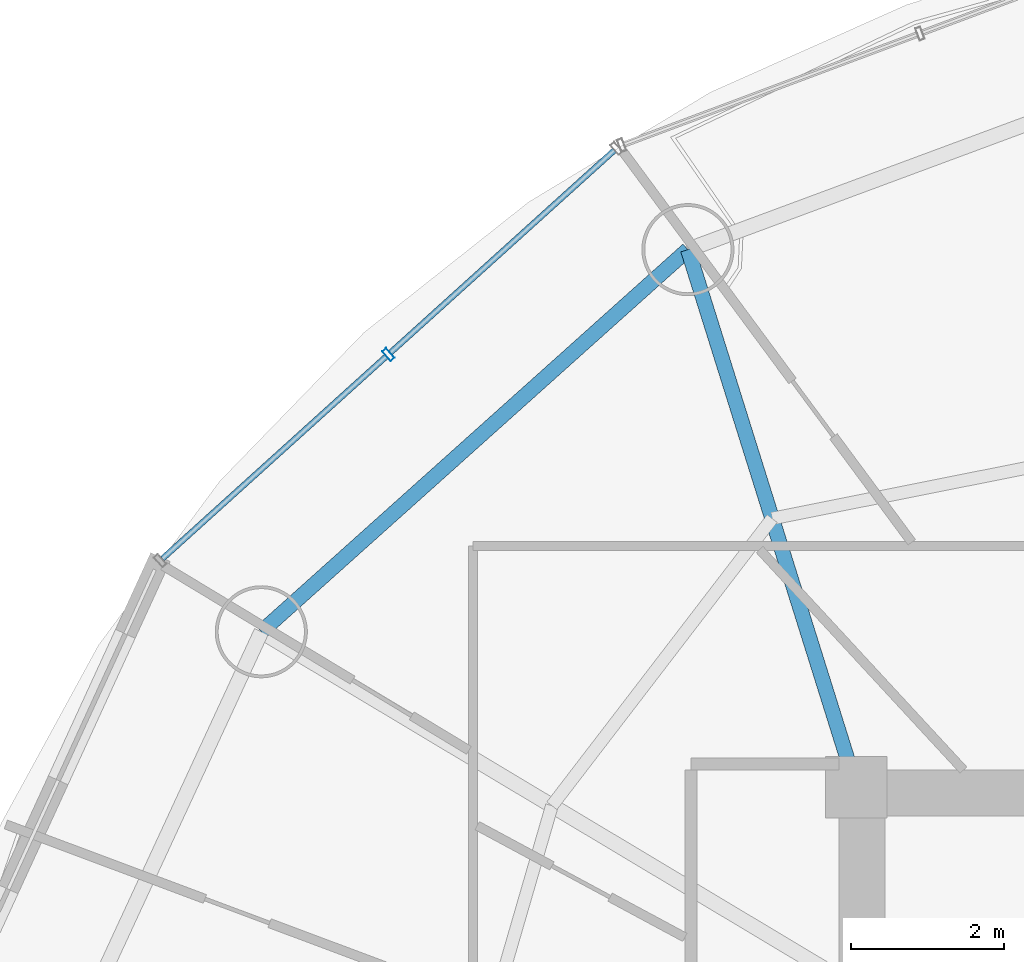
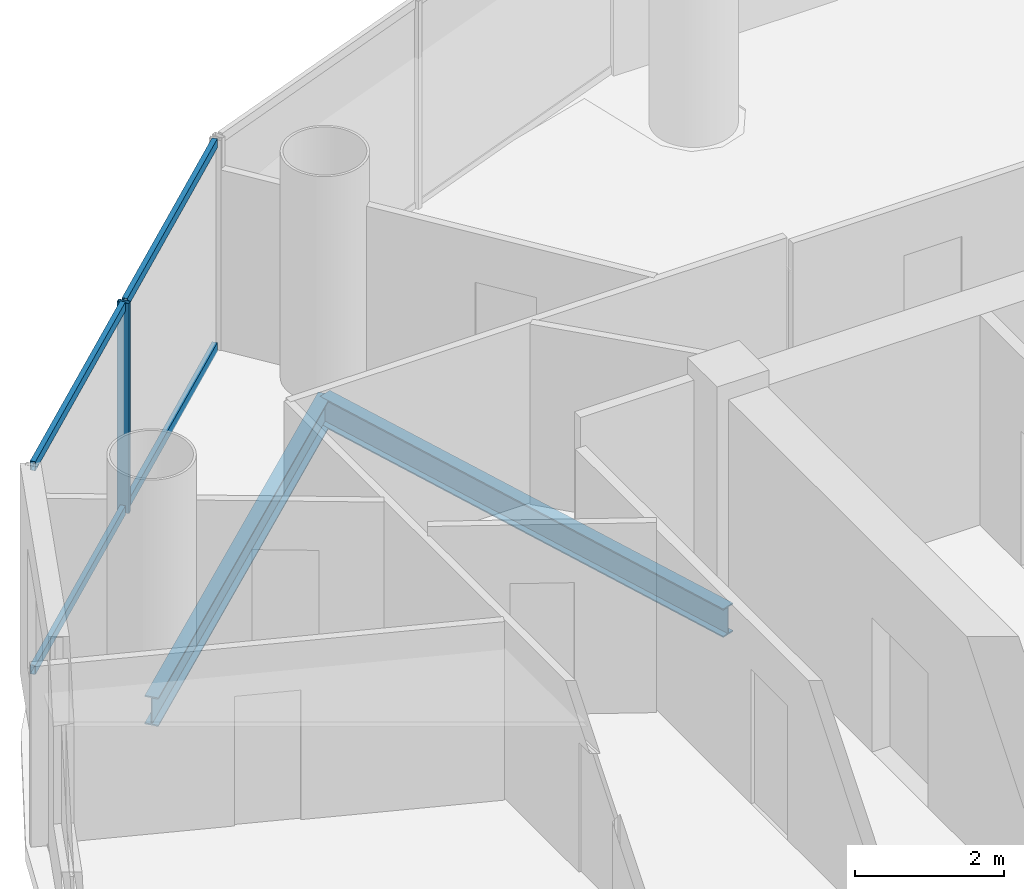
# One storey, part 14 of 26: 5 members, 2 beams, 1 element without a shape of its own.
"""IFC4 building model written with IfcOpenShell, lengths in metres."""

from ifc_helpers import new_model, si_unit, direction, frame, origin, origin_2d, place, context, subcontext, project, spatial, hollow_rectangle, i_section, extrude, source, transform, mapped, material, material_profile, profile_set, type_object, element, aggregate, save


model = new_model("IFC4")

# Units and contexts
model_context = context("Model", 3, precision=1e-05, world=origin(), true_north=direction((-0.2419218956, 0.970295726276)))
body_context = subcontext(model_context, "Body", "Model", "MODEL_VIEW")
ifc_project = project(units=[si_unit("LENGTHUNIT", "METRE"), si_unit("AREAUNIT", "SQUARE_METRE"), si_unit("VOLUMEUNIT", "CUBIC_METRE"), si_unit("PLANEANGLEUNIT", "RADIAN"), si_unit("MASSUNIT", "GRAM", prefix="KILO")], contexts=[model_context])

# Site, building, storey
site_placement = place(None, origin())
site = spatial("IfcSite", under=ifc_project, at=site_placement, CompositionType="ELEMENT")
building_placement = place(site_placement, origin())
building = spatial("IfcBuilding", under=site, at=building_placement, Name="Cobrevalo Terracotta Tower", CompositionType="ELEMENT")
storey_placement = place(building_placement, frame((0.0, 0.0, 213.39990234375)))
storey = spatial("IfcBuildingStorey", under=building, at=storey_placement, Name="L56", CompositionType="ELEMENT", Elevation=213.39990234375)

# Beams
ifc_material_1 = material(Name="Steel S355", Category="steel")
ifc_material_profile_1 = material_profile(ifc_material_1, i_section(OverallWidth=0.194091796875, OverallDepth=0.468994140625, WebThickness=0.011474609375, FlangeThickness=0.0205078125, at=origin_2d()), Name="W 460x106")
ifc_profile_set_1 = profile_set([ifc_material_profile_1], Name="Steel S355")
beam_type_1 = type_object("IfcBeamType", Name="Structural Beam W 460x106 (Steel S355)", PredefinedType="BEAM", material=ifc_profile_set_1)
beam_1_placement = place(storey_placement, frame((26.80517578125, 41.80810546875, -0.49951171875), z_axis=(0.298871212691, -0.954293454984, 0.0), x_axis=(0.954293454984, 0.298871212691, 0.0)))
element("IfcBeam", 1, at=beam_1_placement, inside=storey, type_object=beam_type_1, Name="L56 radial floor girder 06", PredefinedType="BEAM", context=body_context, shape_type="SweptSolid", body=[
    extrude(i_section(OverallWidth=0.194091796875, OverallDepth=0.468994140625, WebThickness=0.011474609375, FlangeThickness=0.0205078125, at=origin_2d()), origin(), (0.0, 0.0, 1.0), 7.34375),
])
ifc_material_profile_2 = material_profile(ifc_material_1, i_section(OverallWidth=0.194091796875, OverallDepth=0.468994140625, WebThickness=0.011474609375, FlangeThickness=0.0205078125, at=origin_2d()), Name="W 460x106")
ifc_profile_set_2 = profile_set([ifc_material_profile_2], Name="Steel S355")
beam_type_2 = type_object("IfcBeamType", Name="Structural Spandrel W 460x106 (Steel S355)", PredefinedType="SPANDREL", material=ifc_profile_set_2)
beam_2_placement = place(storey_placement, frame((26.80517578125, 41.80810546875, -0.49951171875), z_axis=(-0.744851930997, -0.667229796165, 0.0), x_axis=(0.667229796165, -0.744851930997, 0.0)))
element("IfcBeam", 2, at=beam_2_placement, inside=storey, type_object=beam_type_2, Name="L56 perimeter ring spandrel 06", PredefinedType="SPANDREL", context=body_context, shape_type="SweptSolid", body=[
    extrude(i_section(OverallWidth=0.194091796875, OverallDepth=0.468994140625, WebThickness=0.011474609375, FlangeThickness=0.0205078125, at=origin_2d()), origin(), (0.0, 0.0, 1.0), 7.463623046875),
])

# Curtain wall, members
ifc_material_2 = material(Name="Anodized aluminium", Category="aluminium")
curtain_wall_type = type_object("IfcCurtainWallType", Name="Mid-tower high-wind unitised curtain wall CW-U2", PredefinedType="NOTDEFINED", material=ifc_material_2)
curtain_wall_placement = place(storey_placement, origin())
curtain_wall = element("IfcCurtainWall", 3, at=curtain_wall_placement, inside=storey, type_object=curtain_wall_type, Name="L56 curtain wall CW-L56-S06", PredefinedType="NOTDEFINED")
ifc_material_profile_3 = material_profile(ifc_material_2, hollow_rectangle(XDim=0.074951171875, YDim=0.14990234375, WallThickness=0.00439453125, at=origin_2d()), Name="CWT 75x150")
ifc_profile_set_3 = profile_set([ifc_material_profile_3], Name="Anodized aluminium")
member_type_1 = type_object("IfcMemberType", Name="Tower unitised aluminium transom 75x150", PredefinedType="USERDEFINED", material=ifc_profile_set_3)
shared_shape_1 = source(origin(), body_context, "Body", "SweptSolid", [
    extrude(hollow_rectangle(XDim=0.074951171875, YDim=0.14990234375, WallThickness=0.00439453125, at=origin_2d()), origin(), (0.0, 0.0, 1.0), 3.927490234375),
])
member_1_placement = place(storey_placement, frame((22.872314453125, 40.414794921875, 0.050048828125), z_axis=(-0.741975952623, -0.670426495396, 0.0), x_axis=(0.670426495396, -0.741975952623, 0.0)))
member_1 = element("IfcMember", 4, at=member_1_placement, type_object=member_type_1, Name="CW-L56-S06 transom B02-T1", ObjectType="TRANSOM", PredefinedType="USERDEFINED", context=body_context, shape_type="MappedRepresentation", body=[
    mapped(shared_shape_1, transform((0.0, 0.0, 0.0), scale=1.0)),
])
member_2_placement = place(storey_placement, frame((22.872314453125, 40.414794921875, 3.385009765625), z_axis=(-0.741975952623, -0.670426495396, 0.0), x_axis=(0.670426495396, -0.741975952623, 0.0)))
member_2 = element("IfcMember", 5, at=member_2_placement, type_object=member_type_1, Name="CW-L56-S06 transom B02-T2", ObjectType="TRANSOM", PredefinedType="USERDEFINED", context=body_context, shape_type="MappedRepresentation", body=[
    mapped(shared_shape_1, transform((0.0, 0.0, 0.0), scale=1.0)),
])
shared_shape_2 = source(origin(), body_context, "Body", "SweptSolid", [
    extrude(hollow_rectangle(XDim=0.074951171875, YDim=0.14990234375, WallThickness=0.00439453125, at=origin_2d()), origin(), (0.0, 0.0, 1.0), 3.927734375),
])
member_3_placement = place(storey_placement, frame((25.845947265625, 43.101318359375, 0.050048828125), z_axis=(-0.742003891138, -0.670395573923, 0.0), x_axis=(0.670395573923, -0.742003891138, 0.0)))
member_3 = element("IfcMember", 6, at=member_3_placement, type_object=member_type_1, Name="CW-L56-S06 transom B01-T1", ObjectType="TRANSOM", PredefinedType="USERDEFINED", context=body_context, shape_type="MappedRepresentation", body=[
    mapped(shared_shape_2, transform((0.0, 0.0, 0.0), scale=1.0)),
])
member_4_placement = place(storey_placement, frame((25.845947265625, 43.101318359375, 3.385009765625), z_axis=(-0.742003891138, -0.670395573923, 0.0), x_axis=(0.670395573923, -0.742003891138, 0.0)))
member_4 = element("IfcMember", 7, at=member_4_placement, type_object=member_type_1, Name="CW-L56-S06 transom B01-T2", ObjectType="TRANSOM", PredefinedType="USERDEFINED", context=body_context, shape_type="MappedRepresentation", body=[
    mapped(shared_shape_2, transform((0.0, 0.0, 0.0), scale=1.0)),
])
ifc_material_profile_4 = material_profile(ifc_material_2, hollow_rectangle(XDim=0.070068359375, YDim=0.169921875, WallThickness=0.00439453125, at=origin_2d()), Name="CWM 70x170")
ifc_profile_set_4 = profile_set([ifc_material_profile_4], Name="Anodized aluminium")
member_type_2 = type_object("IfcMemberType", Name="Upper tower unitised mullion 70x170", PredefinedType="MULLION", material=ifc_profile_set_4)
shared_shape_3 = source(origin(), body_context, "Body", "SweptSolid", [
    extrude(hollow_rectangle(XDim=0.070068359375, YDim=0.169921875, WallThickness=0.00439453125, at=origin_2d()), origin(), (0.0, 0.0, 1.0), 3.43505859375),
])
member_5_placement = place(storey_placement, frame((22.902099609375, 40.441650390625, 0.0), z_axis=(0.0, 0.0, 1.0), x_axis=(-0.741987542015, -0.670413668935, 0.0)))
member_5 = element("IfcMember", 8, at=member_5_placement, type_object=member_type_2, Name="CW-L56-S06 vertical mullion 02", PredefinedType="MULLION", context=body_context, shape_type="MappedRepresentation", body=[
    mapped(shared_shape_3, transform((0.0, 0.0, 0.0), scale=1.0)),
])
aggregate(curtain_wall, [member_5, member_3, member_4, member_1, member_2])

save(model, "model.ifc")
